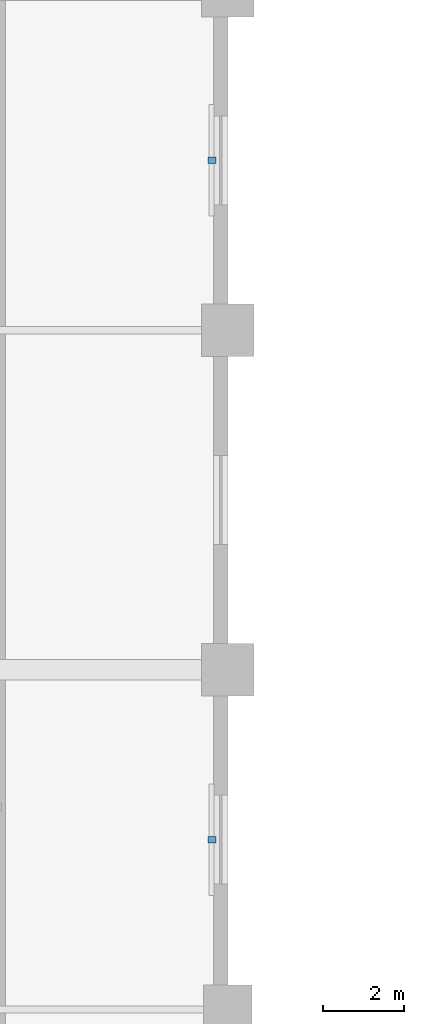
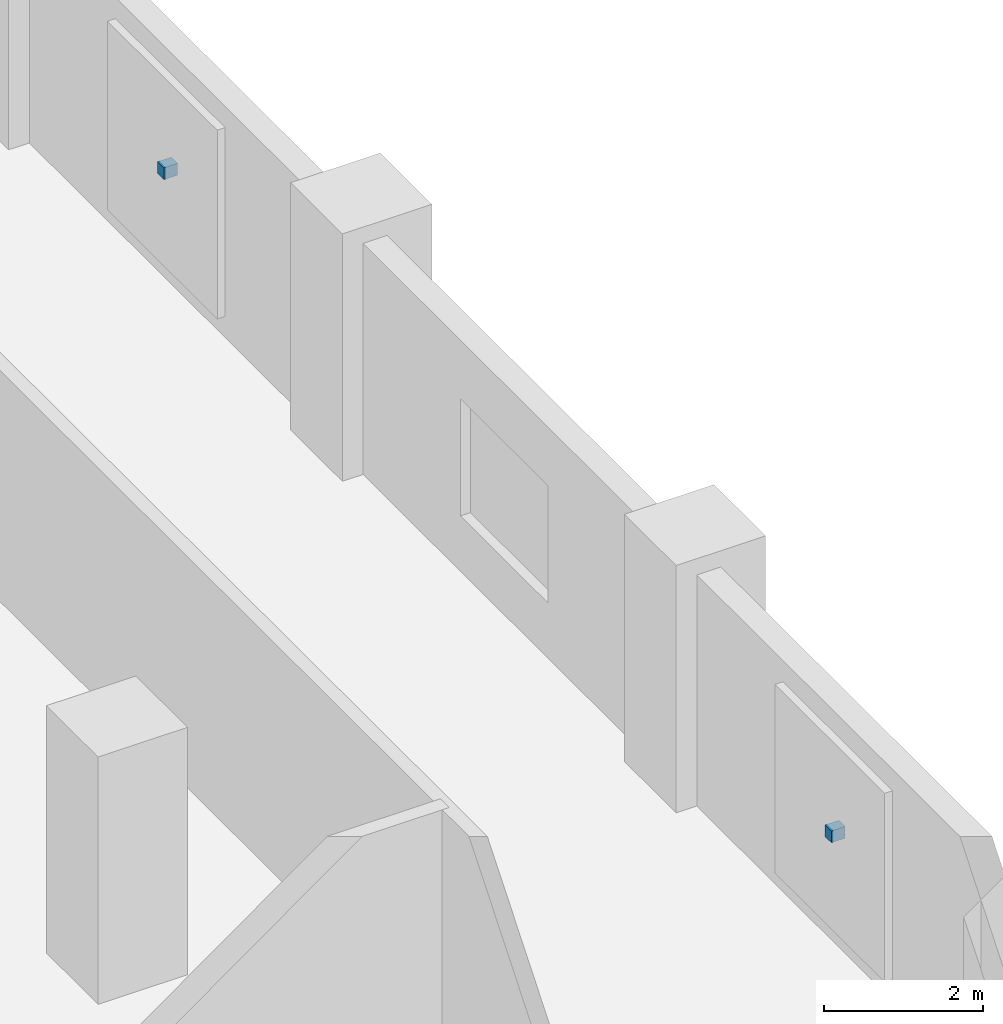
# One storey, part 19 of 23: 2 discrete accessories.
"""IFC4 building model written with IfcOpenShell, lengths in metres."""

from ifc_helpers import new_model, si_unit, direction, frame, origin, origin_2d, place, context, subcontext, project, spatial, rectangle, extrude, material, type_object, element, save


model = new_model("IFC4")

# Units and contexts
model_context = context("Model", 3, precision=1e-05, world=origin(), true_north=direction((0.0, 1.0)))
body_context = subcontext(model_context, "Body", "Model", "MODEL_VIEW")
ifc_project = project(units=[si_unit("LENGTHUNIT", "METRE"), si_unit("AREAUNIT", "SQUARE_METRE"), si_unit("VOLUMEUNIT", "CUBIC_METRE"), si_unit("PLANEANGLEUNIT", "RADIAN"), si_unit("MASSUNIT", "GRAM", prefix="KILO")], contexts=[model_context])

# Site, building, storey
site_placement = place(None, origin())
site = spatial("IfcSite", under=ifc_project, at=site_placement, CompositionType="ELEMENT")
building_placement = place(site_placement, origin())
building = spatial("IfcBuilding", under=site, at=building_placement, Name="Koriwani Terraces Tower", CompositionType="ELEMENT")
storey_placement = place(building_placement, frame((0.0, 0.0, 134.199951171875)))
storey = spatial("IfcBuildingStorey", under=building, at=storey_placement, Name="L32", CompositionType="ELEMENT", Elevation=134.199951171875)

# Discrete accessories
ifc_material = material(Name="Steel ASTM A572 Grade 50", Category="steel")
discrete_accessory_type = type_object("IfcDiscreteAccessoryType", Name="BAGUETTE_STANDOFF_BRACKET", PredefinedType="BRACKET", material=ifc_material)
for number, where, z_axis, x_axis, name in (
    (1, (33.2099609375, 63.0, 1.68505859375), (0.0, 0.0, 1.0), (0.0, -1.0, 0.0), "L32 Terracotta Baguette Bracket (NW_IN-11)"),
    (2, (33.2099609375, 79.800048828125, 1.68505859375), (0.0, 0.0, 1.0), (0.0, -1.0, 0.0), "L32 Terracotta Baguette Bracket (NW_IN-17)"),
):
    element("IfcDiscreteAccessory", number, at=place(storey_placement, frame(where, z_axis=z_axis, x_axis=x_axis)), inside=storey, type_object=discrete_accessory_type, Name=name, PredefinedType="BRACKET", context=body_context, shape_type="SweptSolid", body=[
        extrude(rectangle(XDim=0.159912109375, YDim=0.199951171875, at=origin_2d()), origin(), (0.0, 0.0, 1.0), 0.179931640625),
    ])

save(model, "model.ifc")
